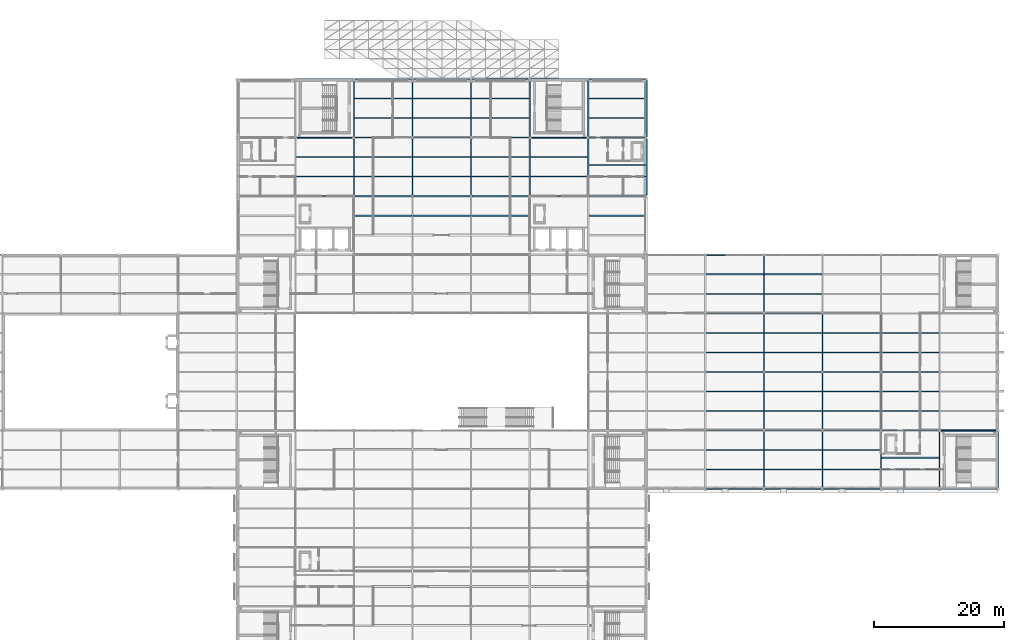
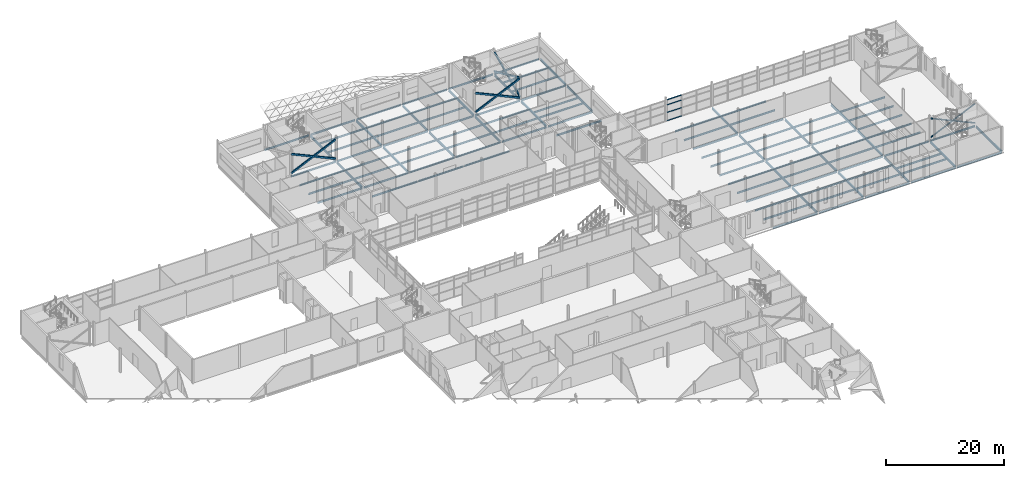
# One storey, part 59 of 112: 110 beams, 12 members, 1 element without a shape of its own.
"""IFC4 building model written with IfcOpenShell, lengths in metres."""

from ifc_helpers import new_model, si_unit, direction, frame, origin, origin_2d, place, context, subcontext, project, spatial, hollow_rectangle, hollow_circle, i_section, extrude, material, layer, layer_set, material_profile, profile_set, type_object, element, aggregate, save


model = new_model("IFC4")

# Units and contexts
model_context = context("Model", 3, precision=1e-05, world=origin(), true_north=direction((0.0, 1.0)))
body_context = subcontext(model_context, "Body", "Model", "MODEL_VIEW")
ifc_project = project(units=[si_unit("LENGTHUNIT", "METRE"), si_unit("AREAUNIT", "SQUARE_METRE"), si_unit("VOLUMEUNIT", "CUBIC_METRE"), si_unit("PLANEANGLEUNIT", "RADIAN"), si_unit("MASSUNIT", "GRAM", prefix="KILO")], contexts=[model_context])

# Site, building, storey
site_placement = place(None, origin())
site = spatial("IfcSite", under=ifc_project, at=site_placement, CompositionType="ELEMENT")
building_placement = place(site_placement, origin())
building = spatial("IfcBuilding", under=site, at=building_placement, Name="Shorebreak Coast Museum", CompositionType="ELEMENT")
storey_placement = place(building_placement, frame((0.0, 0.0, 6.0)))
storey = spatial("IfcBuildingStorey", under=building, at=storey_placement, Name="L01", CompositionType="ELEMENT", Elevation=6.0)

# Beams
ifc_material_1 = material(Name="Steel Grade 300", Category="steel")
ifc_material_profile_1 = material_profile(ifc_material_1, i_section(OverallWidth=0.1708984375, OverallDepth=0.355712890625, WebThickness=0.00732421875, FlangeThickness=0.011474609375, FilletRadius=0.011474609375, at=origin_2d()), Name="360UB50.7")
ifc_profile_set_1 = profile_set([ifc_material_profile_1], Name="Steel Grade 300")
beam_type_1 = type_object("IfcBeamType", Name="Floor girder east-west 360UB50.7", PredefinedType="BEAM", material=ifc_profile_set_1)
for number, where, z_axis, x_axis, name in (
    (1, (126.14990234375, 54.0, -0.352783203125), (1.0, 0.0, 0.0), (0.0, 1.0, 0.0), "Floor girder east-west L01 15G"),
    (2, (135.14990234375, 54.0, -0.352783203125), (1.0, 0.0, 0.0), (0.0, 1.0, 0.0), "Floor girder east-west L01 16G"),
    (3, (144.14990234375, 54.0, -0.352783203125), (1.0, 0.0, 0.0), (0.0, 1.0, 0.0), "Floor girder east-west L01 17G"),
    (4, (153.14990234375, 54.0, -0.352783203125), (1.0, 0.0, 0.0), (0.0, 1.0, 0.0), "Floor girder east-west L01 18G"),
    (5, (162.14990234375, 54.0, -0.352783203125), (1.0, 0.0, 0.0), (0.0, 1.0, 0.0), "Floor girder east-west L01 19G"),
):
    element("IfcBeam", number, at=place(storey_placement, frame(where, z_axis=z_axis, x_axis=x_axis)), inside=storey, type_object=beam_type_1, Name=name, PredefinedType="BEAM", context=body_context, shape_type="SweptSolid", body=[
        extrude(i_section(OverallWidth=0.1708984375, OverallDepth=0.355712890625, WebThickness=0.00732421875, FlangeThickness=0.011474609375, FilletRadius=0.011474609375, at=origin_2d()), origin(), (0.0, 0.0, 1.0), 8.7001953125),
    ])
for number, where, z_axis, x_axis, name in (
    (6, (126.154541015625, 63.0, -0.352783203125), (1.0, 0.0, 0.0), (0.0, 1.0, 0.0), "Floor girder east-west L01 15H"),
    (7, (135.154541015625, 63.0, -0.352783203125), (1.0, 0.0, 0.0), (0.0, 1.0, 0.0), "Floor girder east-west L01 16H"),
    (8, (144.154541015625, 63.0, -0.352783203125), (1.0, 0.0, 0.0), (0.0, 1.0, 0.0), "Floor girder east-west L01 17H"),
    (9, (153.154541015625, 63.0, -0.352783203125), (1.0, 0.0, 0.0), (0.0, 1.0, 0.0), "Floor girder east-west L01 18H"),
):
    element("IfcBeam", number, at=place(storey_placement, frame(where, z_axis=z_axis, x_axis=x_axis)), inside=storey, type_object=beam_type_1, Name=name, PredefinedType="BEAM", context=body_context, shape_type="SweptSolid", body=[
        extrude(i_section(OverallWidth=0.1708984375, OverallDepth=0.355712890625, WebThickness=0.00732421875, FlangeThickness=0.011474609375, FilletRadius=0.011474609375, at=origin_2d()), origin(), (0.0, 0.0, 1.0), 8.69091796875),
    ])
beam_1_placement = place(storey_placement, frame((162.154541015625, 63.0, -0.352783203125), z_axis=(1.0, 0.0, 0.0), x_axis=(0.0, 1.0, 0.0)))
element("IfcBeam", 10, at=beam_1_placement, inside=storey, type_object=beam_type_1, Name="Floor girder east-west L01 19H", PredefinedType="BEAM", context=body_context, shape_type="SweptSolid", body=[
    extrude(i_section(OverallWidth=0.1708984375, OverallDepth=0.355712890625, WebThickness=0.00732421875, FlangeThickness=0.011474609375, FilletRadius=0.011474609375, at=origin_2d()), origin(), (0.0, 0.0, 1.0), 8.695556640625),
])
for number, where, z_axis, x_axis, name in (
    (11, (126.154541015625, 72.0, -0.352783203125), (1.0, 0.0, 0.0), (0.0, 1.0, 0.0), "Floor girder east-west L01 15J"),
    (12, (135.154541015625, 72.0, -0.352783203125), (1.0, 0.0, 0.0), (0.0, 1.0, 0.0), "Floor girder east-west L01 16J"),
    (13, (144.154541015625, 72.0, -0.352783203125), (1.0, 0.0, 0.0), (0.0, 1.0, 0.0), "Floor girder east-west L01 17J"),
    (14, (153.154541015625, 72.0, -0.352783203125), (1.0, 0.0, 0.0), (0.0, 1.0, 0.0), "Floor girder east-west L01 18J"),
    (15, (126.154541015625, 81.0, -0.352783203125), (1.0, 0.0, 0.0), (0.0, 1.0, 0.0), "Floor girder east-west L01 15K"),
    (16, (135.154541015625, 81.0, -0.352783203125), (1.0, 0.0, 0.0), (0.0, 1.0, 0.0), "Floor girder east-west L01 16K"),
):
    element("IfcBeam", number, at=place(storey_placement, frame(where, z_axis=z_axis, x_axis=x_axis)), inside=storey, type_object=beam_type_1, Name=name, PredefinedType="BEAM", context=body_context, shape_type="SweptSolid", body=[
        extrude(i_section(OverallWidth=0.1708984375, OverallDepth=0.355712890625, WebThickness=0.00732421875, FlangeThickness=0.011474609375, FilletRadius=0.011474609375, at=origin_2d()), origin(), (0.0, 0.0, 1.0), 8.69091796875),
    ])
ifc_material_2 = material(Name="Steel Grade 300", Category="steel")
ifc_material_profile_2 = material_profile(ifc_material_2, i_section(OverallWidth=0.172119140625, OverallDepth=0.358642578125, WebThickness=0.008056640625, FlangeThickness=0.012939453125, FilletRadius=0.011474609375, at=origin_2d()), Name="360UB56.7")
ifc_profile_set_2 = profile_set([ifc_material_profile_2], Name="Steel Grade 300")
beam_type_2 = type_object("IfcBeamType", Name="Floor girder east-west 360UB56.7", PredefinedType="BEAM", material=ifc_profile_set_2)
for number, where, z_axis, x_axis, name in (
    (17, (63.154541015625, 99.0, -0.354248046875), (1.0, 0.0, 0.0), (0.0, 1.0, 0.0), "Floor girder east-west L01 8M"),
    (18, (72.154541015625, 99.0, -0.354248046875), (1.0, 0.0, 0.0), (0.0, 1.0, 0.0), "Floor girder east-west L01 9M"),
    (19, (81.154541015625, 99.0, -0.354248046875), (1.0, 0.0, 0.0), (0.0, 1.0, 0.0), "Floor girder east-west L01 10M"),
    (20, (90.154541015625, 99.0, -0.354248046875), (1.0, 0.0, 0.0), (0.0, 1.0, 0.0), "Floor girder east-west L01 11M"),
    (21, (99.154541015625, 99.0, -0.354248046875), (1.0, 0.0, 0.0), (0.0, 1.0, 0.0), "Floor girder east-west L01 12M"),
    (22, (108.154541015625, 99.0, -0.354248046875), (1.0, 0.0, 0.0), (0.0, 1.0, 0.0), "Floor girder east-west L01 13M"),
    (23, (63.154541015625, 108.0, -0.354248046875), (1.0, 0.0, 0.0), (0.0, 1.0, 0.0), "Floor girder east-west L01 8N"),
    (24, (72.154541015625, 108.0, -0.354248046875), (1.0, 0.0, 0.0), (0.0, 1.0, 0.0), "Floor girder east-west L01 9N"),
    (25, (81.154541015625, 108.0, -0.354248046875), (1.0, 0.0, 0.0), (0.0, 1.0, 0.0), "Floor girder east-west L01 10N"),
    (26, (90.154541015625, 108.0, -0.354248046875), (1.0, 0.0, 0.0), (0.0, 1.0, 0.0), "Floor girder east-west L01 11N"),
    (27, (99.154541015625, 108.0, -0.354248046875), (1.0, 0.0, 0.0), (0.0, 1.0, 0.0), "Floor girder east-west L01 12N"),
    (28, (108.154541015625, 108.0, -0.354248046875), (1.0, 0.0, 0.0), (0.0, 1.0, 0.0), "Floor girder east-west L01 13N"),
):
    element("IfcBeam", number, at=place(storey_placement, frame(where, z_axis=z_axis, x_axis=x_axis)), inside=storey, type_object=beam_type_2, Name=name, PredefinedType="BEAM", context=body_context, shape_type="SweptSolid", body=[
        extrude(i_section(OverallWidth=0.172119140625, OverallDepth=0.358642578125, WebThickness=0.008056640625, FlangeThickness=0.012939453125, FilletRadius=0.011474609375, at=origin_2d()), origin(), (0.0, 0.0, 1.0), 8.69091796875),
    ])
for number, where, z_axis, x_axis, name in (
    (29, (63.155517578125, 117.0, -0.354248046875), (1.0, 0.0, 0.0), (0.0, 1.0, 0.0), "Floor girder east-west L01 8P"),
    (30, (72.155517578125, 117.0, -0.354248046875), (1.0, 0.0, 0.0), (0.0, 1.0, 0.0), "Floor girder east-west L01 9P"),
    (31, (81.155517578125, 117.0, -0.354248046875), (1.0, 0.0, 0.0), (0.0, 1.0, 0.0), "Floor girder east-west L01 10P"),
    (32, (90.155517578125, 117.0, -0.354248046875), (1.0, 0.0, 0.0), (0.0, 1.0, 0.0), "Floor girder east-west L01 11P"),
    (33, (99.155517578125, 117.0, -0.354248046875), (1.0, 0.0, 0.0), (0.0, 1.0, 0.0), "Floor girder east-west L01 12P"),
    (34, (108.155517578125, 117.0, -0.354248046875), (1.0, 0.0, 0.0), (0.0, 1.0, 0.0), "Floor girder east-west L01 13P"),
):
    element("IfcBeam", number, at=place(storey_placement, frame(where, z_axis=z_axis, x_axis=x_axis)), inside=storey, type_object=beam_type_2, Name=name, PredefinedType="BEAM", context=body_context, shape_type="SweptSolid", body=[
        extrude(i_section(OverallWidth=0.172119140625, OverallDepth=0.358642578125, WebThickness=0.008056640625, FlangeThickness=0.012939453125, FilletRadius=0.011474609375, at=origin_2d()), origin(), (0.0, 0.0, 1.0), 8.68896484375),
    ])
ifc_material_3 = material(Name="Steel Grade 300", Category="steel")
ifc_material_profile_3 = material_profile(ifc_material_3, i_section(OverallWidth=0.19091796875, OverallDepth=0.46044921875, WebThickness=0.010009765625, FlangeThickness=0.01611328125, FilletRadius=0.011474609375, at=origin_2d()), Name="460UB82.1")
ifc_profile_set_3 = profile_set([ifc_material_profile_3], Name="Steel Grade 300")
beam_type_3 = type_object("IfcBeamType", Name="Floor girder north-south 460UB82.1", PredefinedType="BEAM", material=ifc_profile_set_3)
for number, where, z_axis, x_axis, name in (
    (35, (135.0, 54.14990234375, -0.4052734375), (0.0, 1.0, 0.0), (-1.0, 0.0, 0.0), "Floor girder north-south L01 16G"),
    (36, (144.0, 54.14990234375, -0.4052734375), (0.0, 1.0, 0.0), (-1.0, 0.0, 0.0), "Floor girder north-south L01 17G"),
    (37, (153.0, 54.14990234375, -0.4052734375), (0.0, 1.0, 0.0), (-1.0, 0.0, 0.0), "Floor girder north-south L01 18G"),
    (38, (162.0, 54.14990234375, -0.4052734375), (0.0, 1.0, 0.0), (-1.0, 0.0, 0.0), "Floor girder north-south L01 19G"),
):
    element("IfcBeam", number, at=place(storey_placement, frame(where, z_axis=z_axis, x_axis=x_axis)), inside=storey, type_object=beam_type_3, Name=name, PredefinedType="BEAM", context=body_context, shape_type="SweptSolid", body=[
        extrude(i_section(OverallWidth=0.19091796875, OverallDepth=0.46044921875, WebThickness=0.010009765625, FlangeThickness=0.01611328125, FilletRadius=0.011474609375, at=origin_2d()), origin(), (0.0, 0.0, 1.0), 8.689697265625),
    ])
beam_2_placement = place(storey_placement, frame((171.0, 54.14990234375, -0.4052734375), z_axis=(0.0, 1.0, 0.0), x_axis=(-1.0, 0.0, 0.0)))
element("IfcBeam", 39, at=beam_2_placement, inside=storey, type_object=beam_type_3, Name="Floor girder north-south L01 20G", PredefinedType="BEAM", context=body_context, shape_type="SweptSolid", body=[
    extrude(i_section(OverallWidth=0.19091796875, OverallDepth=0.46044921875, WebThickness=0.010009765625, FlangeThickness=0.01611328125, FilletRadius=0.011474609375, at=origin_2d()), origin(), (0.0, 0.0, 1.0), 8.7001953125),
])
for number, where, z_axis, x_axis, name in (
    (40, (135.0, 63.160400390625, -0.4052734375), (0.0, 1.0, 0.0), (-1.0, 0.0, 0.0), "Floor girder north-south L01 16H"),
    (41, (144.0, 63.160400390625, -0.4052734375), (0.0, 1.0, 0.0), (-1.0, 0.0, 0.0), "Floor girder north-south L01 17H"),
    (42, (153.0, 63.160400390625, -0.4052734375), (0.0, 1.0, 0.0), (-1.0, 0.0, 0.0), "Floor girder north-south L01 18H"),
    (43, (135.0, 72.160400390625, -0.4052734375), (0.0, 1.0, 0.0), (-1.0, 0.0, 0.0), "Floor girder north-south L01 16J"),
    (44, (144.0, 72.160400390625, -0.4052734375), (0.0, 1.0, 0.0), (-1.0, 0.0, 0.0), "Floor girder north-south L01 17J"),
    (45, (153.0, 72.160400390625, -0.4052734375), (0.0, 1.0, 0.0), (-1.0, 0.0, 0.0), "Floor girder north-south L01 18J"),
):
    element("IfcBeam", number, at=place(storey_placement, frame(where, z_axis=z_axis, x_axis=x_axis)), inside=storey, type_object=beam_type_3, Name=name, PredefinedType="BEAM", context=body_context, shape_type="SweptSolid", body=[
        extrude(i_section(OverallWidth=0.19091796875, OverallDepth=0.46044921875, WebThickness=0.010009765625, FlangeThickness=0.01611328125, FilletRadius=0.011474609375, at=origin_2d()), origin(), (0.0, 0.0, 1.0), 8.67919921875),
    ])
beam_3_placement = place(storey_placement, frame((135.0, 81.160400390625, -0.4052734375), z_axis=(0.0, 1.0, 0.0), x_axis=(-1.0, 0.0, 0.0)))
element("IfcBeam", 46, at=beam_3_placement, inside=storey, type_object=beam_type_3, Name="Floor girder north-south L01 16K", PredefinedType="BEAM", context=body_context, shape_type="SweptSolid", body=[
    extrude(i_section(OverallWidth=0.19091796875, OverallDepth=0.46044921875, WebThickness=0.010009765625, FlangeThickness=0.01611328125, FilletRadius=0.011474609375, at=origin_2d()), origin(), (0.0, 0.0, 1.0), 8.689697265625),
])
for number, where, z_axis, x_axis, name in (
    (47, (72.0, 99.160400390625, -0.4052734375), (0.0, 1.0, 0.0), (-1.0, 0.0, 0.0), "Floor girder north-south L01 9M"),
    (48, (81.0, 99.160400390625, -0.4052734375), (0.0, 1.0, 0.0), (-1.0, 0.0, 0.0), "Floor girder north-south L01 10M"),
    (49, (90.0, 99.160400390625, -0.4052734375), (0.0, 1.0, 0.0), (-1.0, 0.0, 0.0), "Floor girder north-south L01 11M"),
    (50, (99.0, 99.160400390625, -0.4052734375), (0.0, 1.0, 0.0), (-1.0, 0.0, 0.0), "Floor girder north-south L01 12M"),
    (51, (108.0, 99.160400390625, -0.4052734375), (0.0, 1.0, 0.0), (-1.0, 0.0, 0.0), "Floor girder north-south L01 13M"),
    (52, (117.0, 99.160400390625, -0.4052734375), (0.0, 1.0, 0.0), (-1.0, 0.0, 0.0), "Floor girder north-south L01 14M"),
):
    element("IfcBeam", number, at=place(storey_placement, frame(where, z_axis=z_axis, x_axis=x_axis)), inside=storey, type_object=beam_type_3, Name=name, PredefinedType="BEAM", context=body_context, shape_type="SweptSolid", body=[
        extrude(i_section(OverallWidth=0.19091796875, OverallDepth=0.46044921875, WebThickness=0.010009765625, FlangeThickness=0.01611328125, FilletRadius=0.011474609375, at=origin_2d()), origin(), (0.0, 0.0, 1.0), 8.67919921875),
    ])
for number, where, z_axis, x_axis, name in (
    (53, (72.0, 108.160400390625, -0.4052734375), (0.0, 1.0, 0.0), (-1.0, 0.0, 0.0), "Floor girder north-south L01 9N"),
    (54, (81.0, 108.160400390625, -0.4052734375), (0.0, 1.0, 0.0), (-1.0, 0.0, 0.0), "Floor girder north-south L01 10N"),
    (55, (90.0, 108.160400390625, -0.4052734375), (0.0, 1.0, 0.0), (-1.0, 0.0, 0.0), "Floor girder north-south L01 11N"),
    (56, (99.0, 108.160400390625, -0.4052734375), (0.0, 1.0, 0.0), (-1.0, 0.0, 0.0), "Floor girder north-south L01 12N"),
    (57, (108.0, 108.160400390625, -0.4052734375), (0.0, 1.0, 0.0), (-1.0, 0.0, 0.0), "Floor girder north-south L01 13N"),
    (58, (117.0, 108.160400390625, -0.4052734375), (0.0, 1.0, 0.0), (-1.0, 0.0, 0.0), "Floor girder north-south L01 14N"),
):
    element("IfcBeam", number, at=place(storey_placement, frame(where, z_axis=z_axis, x_axis=x_axis)), inside=storey, type_object=beam_type_3, Name=name, PredefinedType="BEAM", context=body_context, shape_type="SweptSolid", body=[
        extrude(i_section(OverallWidth=0.19091796875, OverallDepth=0.46044921875, WebThickness=0.010009765625, FlangeThickness=0.01611328125, FilletRadius=0.011474609375, at=origin_2d()), origin(), (0.0, 0.0, 1.0), 8.676025390625),
    ])
ifc_material_4 = material(Name="Steel Grade 300", Category="steel")
ifc_material_profile_4 = material_profile(ifc_material_4, i_section(OverallWidth=0.1708984375, OverallDepth=0.35205078125, WebThickness=0.0068359375, FlangeThickness=0.009765625, FilletRadius=0.011474609375, at=origin_2d()), Name="360UB44.7")
ifc_profile_set_4 = profile_set([ifc_material_profile_4], Name="Steel Grade 300")
beam_type_4 = type_object("IfcBeamType", Name="Floor joist 360UB44.7", PredefinedType="JOIST", material=ifc_profile_set_4)
for number, where, z_axis, x_axis, name in (
    (59, (72.095458984375, 96.0, -0.35107421875), (1.0, 0.0, 0.0), (0.0, 1.0, 0.0), "Floor joist L01 bay 9L at 6000 mm"),
    (60, (81.095458984375, 96.0, -0.35107421875), (1.0, 0.0, 0.0), (0.0, 1.0, 0.0), "Floor joist L01 bay 10L at 6000 mm"),
    (61, (90.095458984375, 96.0, -0.35107421875), (1.0, 0.0, 0.0), (0.0, 1.0, 0.0), "Floor joist L01 bay 11L at 6000 mm"),
    (62, (108.095458984375, 96.0, -0.35107421875), (1.0, 0.0, 0.0), (0.0, 1.0, 0.0), "Floor joist L01 bay 13L at 6000 mm"),
    (63, (63.095458984375, 102.0, -0.35107421875), (1.0, 0.0, 0.0), (0.0, 1.0, 0.0), "Floor joist L01 bay 8M at 3000 mm"),
    (64, (63.095458984375, 105.0, -0.35107421875), (1.0, 0.0, 0.0), (0.0, 1.0, 0.0), "Floor joist L01 bay 8M at 6000 mm"),
    (65, (72.095458984375, 102.0, -0.35107421875), (1.0, 0.0, 0.0), (0.0, 1.0, 0.0), "Floor joist L01 bay 9M at 3000 mm"),
    (66, (72.095458984375, 105.0, -0.35107421875), (1.0, 0.0, 0.0), (0.0, 1.0, 0.0), "Floor joist L01 bay 9M at 6000 mm"),
    (67, (81.095458984375, 102.0, -0.35107421875), (1.0, 0.0, 0.0), (0.0, 1.0, 0.0), "Floor joist L01 bay 10M at 3000 mm"),
    (68, (81.095458984375, 105.0, -0.35107421875), (1.0, 0.0, 0.0), (0.0, 1.0, 0.0), "Floor joist L01 bay 10M at 6000 mm"),
    (69, (90.095458984375, 102.0, -0.35107421875), (1.0, 0.0, 0.0), (0.0, 1.0, 0.0), "Floor joist L01 bay 11M at 3000 mm"),
    (70, (90.095458984375, 105.0, -0.35107421875), (1.0, 0.0, 0.0), (0.0, 1.0, 0.0), "Floor joist L01 bay 11M at 6000 mm"),
    (71, (99.095458984375, 102.0, -0.35107421875), (1.0, 0.0, 0.0), (0.0, 1.0, 0.0), "Floor joist L01 bay 12M at 3000 mm"),
    (72, (99.095458984375, 105.0, -0.35107421875), (1.0, 0.0, 0.0), (0.0, 1.0, 0.0), "Floor joist L01 bay 12M at 6000 mm"),
    (73, (108.095458984375, 102.0, -0.35107421875), (1.0, 0.0, 0.0), (0.0, 1.0, 0.0), "Floor joist L01 bay 13M at 3000 mm"),
    (74, (108.095458984375, 103.800048828125, -0.35107421875), (1.0, 0.0, 0.0), (0.0, 1.0, 0.0), "Floor joist L01 bay 13M at 4800 mm"),
    (75, (72.095458984375, 111.0, -0.35107421875), (1.0, 0.0, 0.0), (0.0, 1.0, 0.0), "Floor joist L01 bay 9N at 3000 mm"),
    (76, (72.095458984375, 114.0, -0.35107421875), (1.0, 0.0, 0.0), (0.0, 1.0, 0.0), "Floor joist L01 bay 9N at 6000 mm"),
    (77, (81.095458984375, 111.0, -0.35107421875), (1.0, 0.0, 0.0), (0.0, 1.0, 0.0), "Floor joist L01 bay 10N at 3000 mm"),
    (78, (81.095458984375, 114.0, -0.35107421875), (1.0, 0.0, 0.0), (0.0, 1.0, 0.0), "Floor joist L01 bay 10N at 6000 mm"),
    (79, (90.095458984375, 111.0, -0.35107421875), (1.0, 0.0, 0.0), (0.0, 1.0, 0.0), "Floor joist L01 bay 11N at 3000 mm"),
    (80, (90.095458984375, 114.0, -0.35107421875), (1.0, 0.0, 0.0), (0.0, 1.0, 0.0), "Floor joist L01 bay 11N at 6000 mm"),
    (81, (108.095458984375, 111.0, -0.35107421875), (1.0, 0.0, 0.0), (0.0, 1.0, 0.0), "Floor joist L01 bay 13N at 3000 mm"),
    (82, (108.095458984375, 114.0, -0.35107421875), (1.0, 0.0, 0.0), (0.0, 1.0, 0.0), "Floor joist L01 bay 13N at 6000 mm"),
):
    element("IfcBeam", number, at=place(storey_placement, frame(where, z_axis=z_axis, x_axis=x_axis)), inside=storey, type_object=beam_type_4, Name=name, PredefinedType="JOIST", context=body_context, shape_type="SweptSolid", body=[
        extrude(i_section(OverallWidth=0.1708984375, OverallDepth=0.35205078125, WebThickness=0.0068359375, FlangeThickness=0.009765625, FilletRadius=0.011474609375, at=origin_2d()), origin(), (0.0, 0.0, 1.0), 8.80908203125),
    ])
ifc_material_5 = material(Name="Steel Grade 300", Category="steel")
ifc_material_profile_5 = material_profile(ifc_material_5, i_section(OverallWidth=0.1708984375, OverallDepth=0.355712890625, WebThickness=0.00732421875, FlangeThickness=0.011474609375, FilletRadius=0.011474609375, at=origin_2d()), Name="360UB50.7")
ifc_profile_set_5 = profile_set([ifc_material_profile_5], Name="Steel Grade 300")
beam_type_5 = type_object("IfcBeamType", Name="Floor joist 360UB50.7", PredefinedType="JOIST", material=ifc_profile_set_5)
for number, where, z_axis, x_axis, name in (
    (83, (126.095458984375, 57.0, -0.352783203125), (1.0, 0.0, 0.0), (0.0, 1.0, 0.0), "Floor joist L01 bay 15G at 3000 mm"),
    (84, (126.095458984375, 60.0, -0.352783203125), (1.0, 0.0, 0.0), (0.0, 1.0, 0.0), "Floor joist L01 bay 15G at 6000 mm"),
    (85, (135.095458984375, 57.0, -0.352783203125), (1.0, 0.0, 0.0), (0.0, 1.0, 0.0), "Floor joist L01 bay 16G at 3000 mm"),
    (86, (135.095458984375, 60.0, -0.352783203125), (1.0, 0.0, 0.0), (0.0, 1.0, 0.0), "Floor joist L01 bay 16G at 6000 mm"),
    (87, (144.095458984375, 57.0, -0.352783203125), (1.0, 0.0, 0.0), (0.0, 1.0, 0.0), "Floor joist L01 bay 17G at 3000 mm"),
    (88, (144.095458984375, 60.0, -0.352783203125), (1.0, 0.0, 0.0), (0.0, 1.0, 0.0), "Floor joist L01 bay 17G at 6000 mm"),
    (89, (153.095458984375, 57.0, -0.352783203125), (1.0, 0.0, 0.0), (0.0, 1.0, 0.0), "Floor joist L01 bay 18G at 3000 mm"),
    (90, (153.095458984375, 58.800048828125, -0.352783203125), (1.0, 0.0, 0.0), (0.0, 1.0, 0.0), "Floor joist L01 bay 18G at 4800 mm"),
    (91, (126.095458984375, 66.0, -0.352783203125), (1.0, 0.0, 0.0), (0.0, 1.0, 0.0), "Floor joist L01 bay 15H at 3000 mm"),
    (92, (126.095458984375, 69.0, -0.352783203125), (1.0, 0.0, 0.0), (0.0, 1.0, 0.0), "Floor joist L01 bay 15H at 6000 mm"),
    (93, (135.095458984375, 66.0, -0.352783203125), (1.0, 0.0, 0.0), (0.0, 1.0, 0.0), "Floor joist L01 bay 16H at 3000 mm"),
    (94, (135.095458984375, 69.0, -0.352783203125), (1.0, 0.0, 0.0), (0.0, 1.0, 0.0), "Floor joist L01 bay 16H at 6000 mm"),
    (95, (144.095458984375, 66.0, -0.352783203125), (1.0, 0.0, 0.0), (0.0, 1.0, 0.0), "Floor joist L01 bay 17H at 3000 mm"),
    (96, (144.095458984375, 69.0, -0.352783203125), (1.0, 0.0, 0.0), (0.0, 1.0, 0.0), "Floor joist L01 bay 17H at 6000 mm"),
    (97, (153.095458984375, 66.0, -0.352783203125), (1.0, 0.0, 0.0), (0.0, 1.0, 0.0), "Floor joist L01 bay 18H at 3000 mm"),
    (98, (153.095458984375, 69.0, -0.352783203125), (1.0, 0.0, 0.0), (0.0, 1.0, 0.0), "Floor joist L01 bay 18H at 6000 mm"),
    (99, (126.095458984375, 75.0, -0.352783203125), (1.0, 0.0, 0.0), (0.0, 1.0, 0.0), "Floor joist L01 bay 15J at 3000 mm"),
    (100, (126.095458984375, 78.0, -0.352783203125), (1.0, 0.0, 0.0), (0.0, 1.0, 0.0), "Floor joist L01 bay 15J at 6000 mm"),
    (101, (135.095458984375, 75.0, -0.352783203125), (1.0, 0.0, 0.0), (0.0, 1.0, 0.0), "Floor joist L01 bay 16J at 3000 mm"),
    (102, (135.095458984375, 78.0, -0.352783203125), (1.0, 0.0, 0.0), (0.0, 1.0, 0.0), "Floor joist L01 bay 16J at 6000 mm"),
    (103, (144.095458984375, 75.0, -0.352783203125), (1.0, 0.0, 0.0), (0.0, 1.0, 0.0), "Floor joist L01 bay 17J at 3000 mm"),
    (104, (144.095458984375, 78.0, -0.352783203125), (1.0, 0.0, 0.0), (0.0, 1.0, 0.0), "Floor joist L01 bay 17J at 6000 mm"),
    (105, (153.095458984375, 75.0, -0.352783203125), (1.0, 0.0, 0.0), (0.0, 1.0, 0.0), "Floor joist L01 bay 18J at 3000 mm"),
    (106, (153.095458984375, 78.0, -0.352783203125), (1.0, 0.0, 0.0), (0.0, 1.0, 0.0), "Floor joist L01 bay 18J at 6000 mm"),
    (107, (126.095458984375, 84.0, -0.352783203125), (1.0, 0.0, 0.0), (0.0, 1.0, 0.0), "Floor joist L01 bay 15K at 3000 mm"),
    (108, (126.095458984375, 87.0, -0.352783203125), (1.0, 0.0, 0.0), (0.0, 1.0, 0.0), "Floor joist L01 bay 15K at 6000 mm"),
    (109, (135.095458984375, 84.0, -0.352783203125), (1.0, 0.0, 0.0), (0.0, 1.0, 0.0), "Floor joist L01 bay 16K at 3000 mm"),
    (110, (135.095458984375, 87.0, -0.352783203125), (1.0, 0.0, 0.0), (0.0, 1.0, 0.0), "Floor joist L01 bay 16K at 6000 mm"),
):
    element("IfcBeam", number, at=place(storey_placement, frame(where, z_axis=z_axis, x_axis=x_axis)), inside=storey, type_object=beam_type_5, Name=name, PredefinedType="JOIST", context=body_context, shape_type="SweptSolid", body=[
        extrude(i_section(OverallWidth=0.1708984375, OverallDepth=0.355712890625, WebThickness=0.00732421875, FlangeThickness=0.011474609375, FilletRadius=0.011474609375, at=origin_2d()), origin(), (0.0, 0.0, 1.0), 8.80908203125),
    ])

# Curtain wall, members
ifc_material_6 = material(Name="Aluminium", Category="aluminium")
ifc_layer = layer(ifc_material_6, 0.14990234375)
ifc_layer_set = layer_set([ifc_layer], Name="Aluminium")
curtain_wall_type = type_object("IfcCurtainWallType", Name="Storefront curtain wall", PredefinedType="NOTDEFINED", material=ifc_layer_set)
curtain_wall_placement = place(storey_placement, origin())
curtain_wall = element("IfcCurtainWall", 111, at=curtain_wall_placement, inside=storey, type_object=curtain_wall_type, Name="Storefront L01 N 14", PredefinedType="NOTDEFINED")
ifc_material_7 = material(Name="Aluminium", Category="aluminium")
ifc_material_profile_6 = material_profile(ifc_material_7, hollow_rectangle(XDim=0.14990234375, YDim=0.050048828125, WallThickness=0.00390625, at=origin_2d()), Name="AL 50x150 RHS")
ifc_profile_set_6 = profile_set([ifc_material_profile_6], Name="Aluminium")
member_type_1 = type_object("IfcMemberType", Name="Storefront transom 150 x 50", PredefinedType="USERDEFINED", material=ifc_profile_set_6)
member_1_placement = place(storey_placement, frame((126.199951171875, 89.925048828125, 0.074951171875), z_axis=(1.0, 0.0, 0.0), x_axis=(0.0, 1.0, 0.0)))
member_1 = element("IfcMember", 112, at=member_1_placement, type_object=member_type_1, Name="CW8 transom 1.1", ObjectType="TRANSOM", PredefinedType="USERDEFINED", context=body_context, shape_type="SweptSolid", body=[
    extrude(hollow_rectangle(XDim=0.14990234375, YDim=0.050048828125, WallThickness=0.00390625, at=origin_2d()), origin(), (0.0, 0.0, 1.0), 2.824951171875),
])
member_2_placement = place(storey_placement, frame((126.199951171875, 89.925048828125, 1.787841796875), z_axis=(1.0, 0.0, 0.0), x_axis=(0.0, 1.0, 0.0)))
member_2 = element("IfcMember", 113, at=member_2_placement, type_object=member_type_1, Name="CW8 transom 1.2", ObjectType="TRANSOM", PredefinedType="USERDEFINED", context=body_context, shape_type="SweptSolid", body=[
    extrude(hollow_rectangle(XDim=0.14990234375, YDim=0.050048828125, WallThickness=0.00390625, at=origin_2d()), origin(), (0.0, 0.0, 1.0), 2.824951171875),
])
member_3_placement = place(storey_placement, frame((126.199951171875, 89.925048828125, 3.35205078125), z_axis=(1.0, 0.0, 0.0), x_axis=(0.0, 1.0, 0.0)))
member_3 = element("IfcMember", 114, at=member_3_placement, type_object=member_type_1, Name="CW8 transom 1.3", ObjectType="TRANSOM", PredefinedType="USERDEFINED", context=body_context, shape_type="SweptSolid", body=[
    extrude(hollow_rectangle(XDim=0.14990234375, YDim=0.050048828125, WallThickness=0.00390625, at=origin_2d()), origin(), (0.0, 0.0, 1.0), 2.824951171875),
])
member_4_placement = place(storey_placement, frame((126.199951171875, 89.925048828125, 4.394287109375), z_axis=(1.0, 0.0, 0.0), x_axis=(0.0, 1.0, 0.0)))
member_4 = element("IfcMember", 115, at=member_4_placement, type_object=member_type_1, Name="CW8 transom 1.4", ObjectType="TRANSOM", PredefinedType="USERDEFINED", context=body_context, shape_type="SweptSolid", body=[
    extrude(hollow_rectangle(XDim=0.14990234375, YDim=0.050048828125, WallThickness=0.00390625, at=origin_2d()), origin(), (0.0, 0.0, 1.0), 2.824951171875),
])
aggregate(curtain_wall, [member_1, member_2, member_3, member_4])

# Members
ifc_material_8 = material(Name="Steel Grade C350L0", Category="steel")
ifc_material_profile_7 = material_profile(ifc_material_8, hollow_circle(Radius=0.136474609375, WallThickness=0.00927734375, at=origin_2d()), Name="273.1x9.3 CHS")
ifc_profile_set_7 = profile_set([ifc_material_profile_7], Name="Steel Grade C350L0")
member_type_2 = type_object("IfcMemberType", Name="X-brace 273.1x9.3 CHS", PredefinedType="BRACE", material=ifc_profile_set_7)
for number, where, z_axis, x_axis, name in (
    (116, (162.154541015625, 63.0, 0.300048828125), (0.909484682467, 0.0, 0.415737431991), (0.0, 1.0, 0.0), "X-brace bay 07 L01 diagonal 1"),
    (117, (170.85009765625, 63.0, 0.300048828125), (-0.909484682467, 0.0, 0.415737431991), (0.0, -1.0, 0.0), "X-brace bay 07 L01 diagonal 2"),
):
    element("IfcMember", number, at=place(storey_placement, frame(where, z_axis=z_axis, x_axis=x_axis)), inside=storey, type_object=member_type_2, Name=name, PredefinedType="BRACE", context=body_context, shape_type="SweptSolid", body=[
        extrude(hollow_circle(Radius=0.136474609375, WallThickness=0.00927734375, at=origin_2d()), origin(), (0.0, 0.0, 1.0), 9.56103515625),
    ])
ifc_material_9 = material(Name="Steel Grade C450L0", Category="steel")
ifc_material_profile_8 = material_profile(ifc_material_9, hollow_rectangle(XDim=0.25, YDim=0.35009765625, WallThickness=0.012451171875, InnerFilletRadius=0.018798828125, OuterFilletRadius=0.03125, at=origin_2d()), Name="350x250x12.5 RHS")
ifc_profile_set_8 = profile_set([ifc_material_profile_8], Name="Steel Grade C450L0")
member_type_3 = type_object("IfcMemberType", Name="X-brace 350x250x12.5 RHS", PredefinedType="BRACE", material=ifc_profile_set_8)
for number, where, z_axis, x_axis, name in (
    (118, (63.154541015625, 108.0, 0.300048828125), (0.90940077175, 0.0, 0.415920949628), (0.0, 1.0, 0.0), "X-brace bay 09 L01 diagonal 1"),
    (119, (71.845458984375, 108.0, 0.300048828125), (-0.90940077175, 0.0, 0.415920949628), (0.0, -1.0, 0.0), "X-brace bay 09 L01 diagonal 2"),
    (120, (99.154541015625, 108.0, 0.300048828125), (0.90940077175, 0.0, 0.415920949628), (0.0, 1.0, 0.0), "X-brace bay 11 L01 diagonal 1"),
    (121, (107.845458984375, 108.0, 0.300048828125), (-0.90940077175, 0.0, 0.415920949628), (0.0, -1.0, 0.0), "X-brace bay 11 L01 diagonal 2"),
):
    element("IfcMember", number, at=place(storey_placement, frame(where, z_axis=z_axis, x_axis=x_axis)), inside=storey, type_object=member_type_3, Name=name, PredefinedType="BRACE", context=body_context, shape_type="SweptSolid", body=[
        extrude(hollow_rectangle(XDim=0.25, YDim=0.35009765625, WallThickness=0.012451171875, InnerFilletRadius=0.018798828125, OuterFilletRadius=0.03125, at=origin_2d()), origin(), (0.0, 0.0, 1.0), 9.556640625),
    ])
for number, where, z_axis, x_axis, name in (
    (122, (108.0, 108.160400390625, 0.300048828125), (0.0, 0.909130621728, 0.416511119463), (-1.0, 0.0, 0.0), "X-brace bay 12 L01 diagonal 1"),
    (123, (108.0, 116.83642578125, 0.300048828125), (0.0, -0.909130621728, 0.416511119463), (1.0, 0.0, 0.0), "X-brace bay 12 L01 diagonal 2"),
):
    element("IfcMember", number, at=place(storey_placement, frame(where, z_axis=z_axis, x_axis=x_axis)), inside=storey, type_object=member_type_3, Name=name, PredefinedType="BRACE", context=body_context, shape_type="SweptSolid", body=[
        extrude(hollow_rectangle(XDim=0.25, YDim=0.35009765625, WallThickness=0.012451171875, InnerFilletRadius=0.018798828125, OuterFilletRadius=0.03125, at=origin_2d()), origin(), (0.0, 0.0, 1.0), 9.543212890625),
    ])

save(model, "model.ifc")
